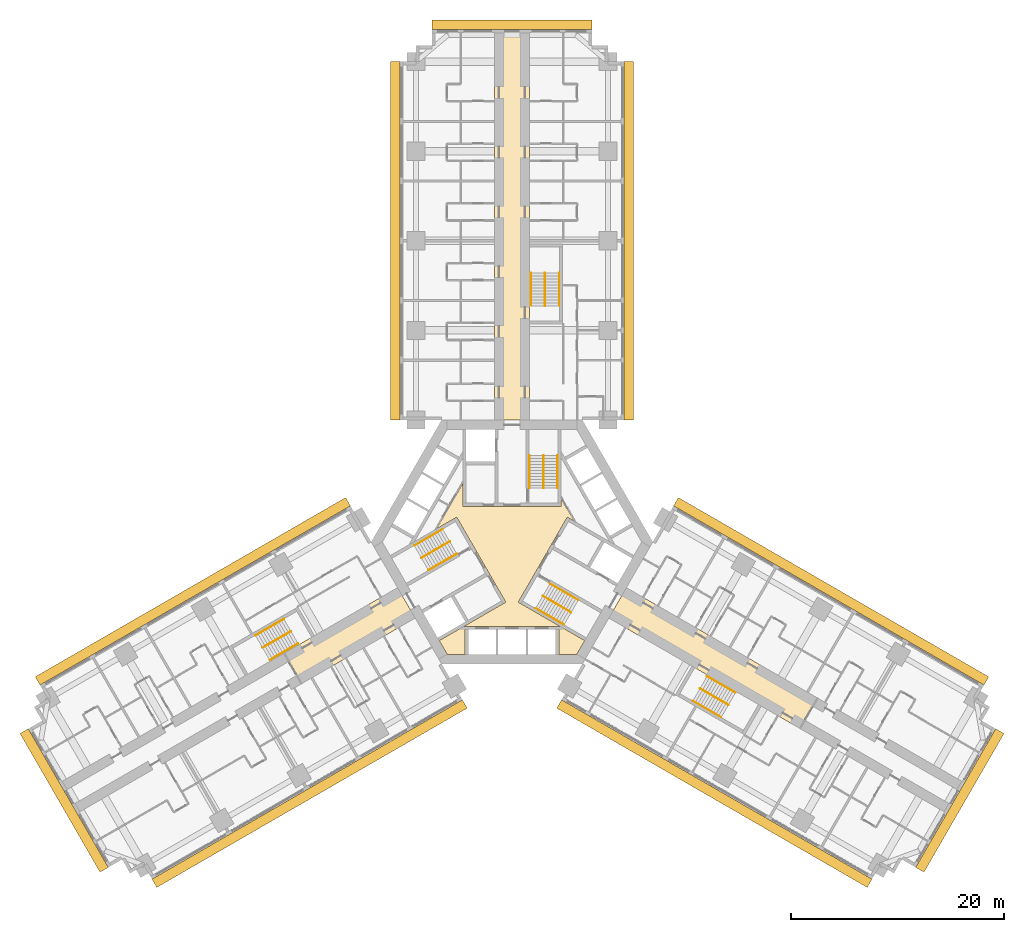
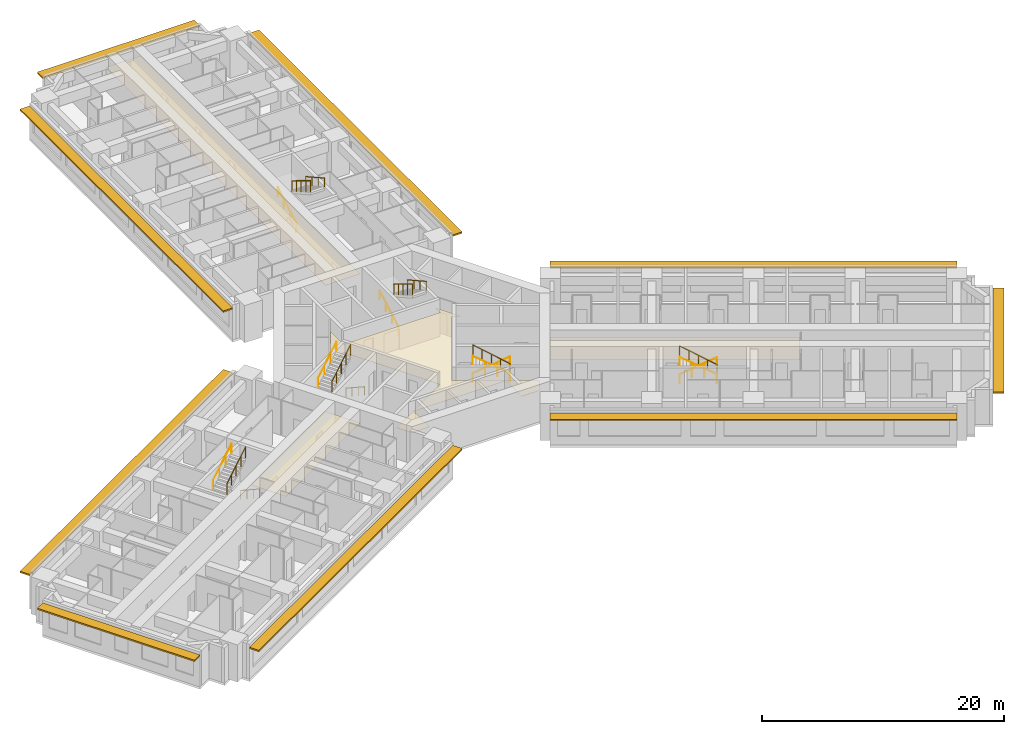
# One storey, part 17 of 17: 18 railings, 4 coverings, 3 shading devices.
"""IFC4 building model written with IfcOpenShell, lengths in metres."""

from ifc_helpers import new_model, si_unit, direction, frame, origin, origin_2d, place, context, subcontext, project, spatial, polyline, rectangle, circle, outline, extrude, material, layer, layer_set, type_object, element, save


model = new_model("IFC4")

# Units and contexts
model_context = context("Model", 3, precision=1e-05, world=origin(), true_north=direction((0.0, 1.0)))
body_context = subcontext(model_context, "Body", "Model", "MODEL_VIEW")
ifc_project = project(units=[si_unit("LENGTHUNIT", "METRE"), si_unit("AREAUNIT", "SQUARE_METRE"), si_unit("VOLUMEUNIT", "CUBIC_METRE"), si_unit("PLANEANGLEUNIT", "RADIAN"), si_unit("MASSUNIT", "GRAM", prefix="KILO")], contexts=[model_context])

# Site, building, storey
site_placement = place(None, origin())
site = spatial("IfcSite", under=ifc_project, at=site_placement, CompositionType="ELEMENT")
building_placement = place(site_placement, origin())
building = spatial("IfcBuilding", under=site, at=building_placement, Name="Impinga Residences", CompositionType="ELEMENT")
storey_placement = place(building_placement, frame((0.0, 0.0, 29.75)))
storey = spatial("IfcBuildingStorey", under=building, at=storey_placement, Name="L06", CompositionType="ELEMENT", Elevation=29.75)

# Coverings
ifc_material_1 = material(Name="Plasterboard 15 mm on steel hangers", Category="steel")
ifc_layer_1 = layer(ifc_material_1, 0.014892578125)
ifc_layer_set_1 = layer_set([ifc_layer_1], Name="Plasterboard 15 mm on steel hangers")
covering_type_1 = type_object("IfcCoveringType", Name="CL1 corridor ceiling, 15 mm plasterboard on hangers", PredefinedType="CEILING", material=ifc_layer_set_1)
covering_1_placement = place(storey_placement, frame((0.0, 0.0, 2.39990234375)))
element("IfcCovering", 1, at=covering_1_placement, inside=storey, type_object=covering_type_1, Name="Corridor ceiling CL1 L06-N00", PredefinedType="CEILING", context=body_context, shape_type="SweptSolid", body=[
    extrude(outline(polyline([(-1.64990234375, 11.431640625), (1.64990234375, 11.431640625), (1.64990234375, 47.7314453125), (-1.64990234375, 47.7314453125), (-1.64990234375, 11.431640625)])), origin(), (0.0, 0.0, 1.0), 0.01513671875),
])
covering_2_placement = place(storey_placement, frame((0.0, 0.0, 2.39990234375)))
element("IfcCovering", 2, at=covering_2_placement, inside=storey, type_object=covering_type_1, Name="Corridor ceiling CL1 L06-W00", PredefinedType="CEILING", context=body_context, shape_type="SweptSolid", body=[
    extrude(outline(polyline([(-10.72509765625, -4.286865234375), (-9.074951171875, -7.144775390625), (-19.684326171875, -13.27001953125), (-21.334228515625, -10.412109375), (-10.72509765625, -4.286865234375)])), origin(), (0.0, 0.0, 1.0), 0.01513671875),
])
covering_3_placement = place(storey_placement, frame((0.0, 0.0, 2.39990234375)))
element("IfcCovering", 3, at=covering_3_placement, inside=storey, type_object=covering_type_1, Name="Corridor ceiling CL1 L06-E00", PredefinedType="CEILING", context=body_context, shape_type="SweptSolid", body=[
    extrude(outline(polyline([(9.074951171875, -7.144775390625), (10.72509765625, -4.286865234375), (28.60888671875, -14.612060546875), (26.958740234375, -17.469970703125), (9.074951171875, -7.144775390625)])), origin(), (0.0, 0.0, 1.0), 0.01513671875),
])
ifc_material_2 = material(Name="Mineral fibre tiles 20 mm on exposed grid", Category="mineral fibre")
ifc_layer_2 = layer(ifc_material_2, 0.02001953125)
ifc_layer_set_2 = layer_set([ifc_layer_2], Name="CL2 lift lobby ceiling, 20 mm mineral fibre tiles")
covering_type_2 = type_object("IfcCoveringType", Name="CL2 lift lobby ceiling, 20 mm mineral fibre tiles", PredefinedType="CEILING", material=ifc_layer_set_2)
covering_4_placement = place(storey_placement, frame((0.0, 0.0, 2.39990234375)))
element("IfcCovering", 4, at=covering_4_placement, inside=storey, type_object=covering_type_2, Name="Lift lobby ceiling CL2 L06-C01", PredefinedType="CEILING", context=body_context, shape_type="SweptSolid", body=[
    extrude(outline(polyline([(6.080322265625, -10.531494140625), (4.39990234375, -10.531494140625), (4.39990234375, -7.931640625), (-4.39990234375, -7.931640625), (-4.39990234375, -10.531494140625), (-6.080322265625, -10.531494140625), (-6.820556640625, -9.24951171875), (-0.583984375, -5.648681640625), (-5.183837890625, 2.318603515625), (-7.059326171875, 1.23583984375), (-4.60009765625, 5.49560546875), (-4.60009765625, 3.330078125), (4.60009765625, 3.330078125), (4.60009765625, 4.095703125), (5.846923828125, 1.935791015625), (5.183837890625, 2.318603515625), (0.583984375, -5.648681640625), (6.820556640625, -9.24951171875), (6.080322265625, -10.531494140625)])), origin(), (0.0, 0.0, 1.0), 0.02001953125),
])

# Railings
ifc_material_3 = material(Name="Steel guard, powder coated", Category="steel")
railing_type_1 = type_object("IfcRailingType", Name="GR1 stair guard 1100", PredefinedType="GUARDRAIL", material=ifc_material_3)
railing_1_placement = place(storey_placement, frame((2.949951171875, 8.110107421875, 1.875)))
element("IfcRailing", 5, at=railing_1_placement, inside=storey, type_object=railing_type_1, Name="Stair guard GR1 ST1 L06", PredefinedType="GUARDRAIL", context=body_context, shape_type="SweptSolid", body=[
    extrude(circle(Radius=0.02392578125, at=origin_2d()), frame((0.0, 0.0, 1.076171875), z_axis=(0.0, -0.854177636135, 0.519981313056), x_axis=(1.0, 0.0, 0.0)), (0.0, 0.0, 1.0), 3.60595703125),
    extrude(circle(Radius=0.02099609375, at=origin_2d()), origin(), (0.0, 0.0, 1.0), 1.052001953125),
    extrude(circle(Radius=0.02099609375, at=origin_2d()), frame((0.0, -0.77001953125, 0.46875)), (0.0, 0.0, 1.0), 1.052001953125),
    extrude(circle(Radius=0.02099609375, at=origin_2d()), frame((0.0, -1.5400390625, 0.9375)), (0.0, 0.0, 1.0), 1.052001953125),
    extrude(circle(Radius=0.02099609375, at=origin_2d()), frame((0.0, -2.31005859375, 1.40625)), (0.0, 0.0, 1.0), 1.052001953125),
    extrude(circle(Radius=0.02099609375, at=origin_2d()), frame((0.0, -3.080078125, 1.875)), (0.0, 0.0, 1.0), 1.052001953125),
])
railing_2_placement = place(storey_placement, frame((-8.49853515625, -1.500244140625, 1.875)))
element("IfcRailing", 6, at=railing_2_placement, inside=storey, type_object=railing_type_1, Name="Stair guard GR1 ST2 L06", PredefinedType="GUARDRAIL", context=body_context, shape_type="SweptSolid", body=[
    extrude(circle(Radius=0.02392578125, at=origin_2d()), frame((0.0, 0.0, 1.076171875), z_axis=(0.739746383972, 0.427084037168, 0.519975492303), x_axis=(-0.499992328818, 0.866029832698, 0.0)), (0.0, 0.0, 1.0), 3.60595703125),
    extrude(circle(Radius=0.02099609375, at=origin_2d()), origin(), (0.0, 0.0, 1.0), 1.052001953125),
    extrude(circle(Radius=0.02099609375, at=origin_2d()), frame((0.6669921875, 0.385009765625, 0.46875)), (0.0, 0.0, 1.0), 1.052001953125),
    extrude(circle(Radius=0.02099609375, at=origin_2d()), frame((1.333740234375, 0.77001953125, 0.9375)), (0.0, 0.0, 1.0), 1.052001953125),
    extrude(circle(Radius=0.02099609375, at=origin_2d()), frame((2.00048828125, 1.155029296875, 1.40625)), (0.0, 0.0, 1.0), 1.052001953125),
    extrude(circle(Radius=0.02099609375, at=origin_2d()), frame((2.66748046875, 1.5400390625, 1.875)), (0.0, 0.0, 1.0), 1.052001953125),
])
railing_3_placement = place(storey_placement, frame((5.548583984375, -6.60986328125, 1.875)))
element("IfcRailing", 7, at=railing_3_placement, inside=storey, type_object=railing_type_1, Name="Stair guard GR1 ST3 L06", PredefinedType="GUARDRAIL", context=body_context, shape_type="SweptSolid", body=[
    extrude(circle(Radius=0.02392578125, at=origin_2d()), frame((0.0, 0.0, 1.076171875), z_axis=(-0.739746383972, 0.427084037168, 0.519975492303), x_axis=(-0.499992328818, -0.866029832698, 0.0)), (0.0, 0.0, 1.0), 3.60595703125),
    extrude(circle(Radius=0.02099609375, at=origin_2d()), origin(), (0.0, 0.0, 1.0), 1.052001953125),
    extrude(circle(Radius=0.02099609375, at=origin_2d()), frame((-0.6669921875, 0.385009765625, 0.46875)), (0.0, 0.0, 1.0), 1.052001953125),
    extrude(circle(Radius=0.02099609375, at=origin_2d()), frame((-1.333740234375, 0.77001953125, 0.9375)), (0.0, 0.0, 1.0), 1.052001953125),
    extrude(circle(Radius=0.02099609375, at=origin_2d()), frame((-2.00048828125, 1.155029296875, 1.40625)), (0.0, 0.0, 1.0), 1.052001953125),
    extrude(circle(Radius=0.02099609375, at=origin_2d()), frame((-2.66748046875, 1.5400390625, 1.875)), (0.0, 0.0, 1.0), 1.052001953125),
])
railing_4_placement = place(storey_placement, frame((3.10009765625, 25.21142578125, 1.875)))
element("IfcRailing", 8, at=railing_4_placement, inside=storey, type_object=railing_type_1, Name="Stair guard GR1 WS1 L06", PredefinedType="GUARDRAIL", context=body_context, shape_type="SweptSolid", body=[
    extrude(circle(Radius=0.02392578125, at=origin_2d()), frame((0.0, 0.0, 1.076171875), z_axis=(0.0, -0.854159328187, 0.520011386482), x_axis=(1.0, 0.0, 0.0)), (0.0, 0.0, 1.0), 3.605712890625),
    extrude(circle(Radius=0.02099609375, at=origin_2d()), origin(), (0.0, 0.0, 1.0), 1.052001953125),
    extrude(circle(Radius=0.02099609375, at=origin_2d()), frame((0.0, -0.77001953125, 0.46875)), (0.0, 0.0, 1.0), 1.052001953125),
    extrude(circle(Radius=0.02099609375, at=origin_2d()), frame((0.0, -1.5400390625, 0.9375)), (0.0, 0.0, 1.0), 1.052001953125),
    extrude(circle(Radius=0.02099609375, at=origin_2d()), frame((0.0, -2.309814453125, 1.40625)), (0.0, 0.0, 1.0), 1.052001953125),
    extrude(circle(Radius=0.02099609375, at=origin_2d()), frame((0.0, -3.079833984375, 1.875)), (0.0, 0.0, 1.0), 1.052001953125),
])
railing_5_placement = place(storey_placement, frame((-23.3837890625, -9.921142578125, 1.875)))
element("IfcRailing", 9, at=railing_5_placement, inside=storey, type_object=railing_type_1, Name="Stair guard GR1 WS2 L06", PredefinedType="GUARDRAIL", context=body_context, shape_type="SweptSolid", body=[
    extrude(circle(Radius=0.02392578125, at=origin_2d()), frame((0.0, 0.0, 1.076171875), z_axis=(0.739715726454, 0.427105428144, 0.52000153585), x_axis=(-0.500026652407, 0.866010015463, 0.0)), (0.0, 0.0, 1.0), 3.605712890625),
    extrude(circle(Radius=0.02099609375, at=origin_2d()), origin(), (0.0, 0.0, 1.0), 1.052001953125),
    extrude(circle(Radius=0.02099609375, at=origin_2d()), frame((0.666748046875, 0.385009765625, 0.46875)), (0.0, 0.0, 1.0), 1.052001953125),
    extrude(circle(Radius=0.02099609375, at=origin_2d()), frame((1.33349609375, 0.77001953125, 0.9375)), (0.0, 0.0, 1.0), 1.052001953125),
    extrude(circle(Radius=0.02099609375, at=origin_2d()), frame((2.00048828125, 1.155029296875, 1.40625)), (0.0, 0.0, 1.0), 1.052001953125),
    extrude(circle(Radius=0.02099609375, at=origin_2d()), frame((2.667236328125, 1.5400390625, 1.875)), (0.0, 0.0, 1.0), 1.052001953125),
])
railing_6_placement = place(storey_placement, frame((20.283935546875, -15.29052734375, 1.875)))
element("IfcRailing", 10, at=railing_6_placement, inside=storey, type_object=railing_type_1, Name="Stair guard GR1 WS3 L06", PredefinedType="GUARDRAIL", context=body_context, shape_type="SweptSolid", body=[
    extrude(circle(Radius=0.02392578125, at=origin_2d()), frame((0.0, 0.0, 1.076171875), z_axis=(-0.739746383972, 0.427084037168, 0.519975492303), x_axis=(-0.499992328818, -0.866029832698, 0.0)), (0.0, 0.0, 1.0), 3.60595703125),
    extrude(circle(Radius=0.02099609375, at=origin_2d()), origin(), (0.0, 0.0, 1.0), 1.052001953125),
    extrude(circle(Radius=0.02099609375, at=origin_2d()), frame((-0.6669921875, 0.385009765625, 0.46875)), (0.0, 0.0, 1.0), 1.052001953125),
    extrude(circle(Radius=0.02099609375, at=origin_2d()), frame((-1.333740234375, 0.77001953125, 0.9375)), (0.0, 0.0, 1.0), 1.052001953125),
    extrude(circle(Radius=0.02099609375, at=origin_2d()), frame((-2.00048828125, 1.155029296875, 1.40625)), (0.0, 0.0, 1.0), 1.052001953125),
    extrude(circle(Radius=0.02099609375, at=origin_2d()), frame((-2.66748046875, 1.5400390625, 1.875)), (0.0, 0.0, 1.0), 1.052001953125),
])
ifc_material_4 = material(Name="Steel handrail tube 42 mm, powder coated", Category="steel")
railing_type_2 = type_object("IfcRailingType", Name="HR1 stair handrail, 42 mm steel tube, 900 above the pitch line", PredefinedType="HANDRAIL", material=ifc_material_4)
railing_7_placement = place(storey_placement, frame((1.62109375, 5.030029296875, 0.15625)))
element("IfcRailing", 11, at=railing_7_placement, inside=storey, type_object=railing_type_2, Name="Stair handrail HR1 ST1 L06", PredefinedType="HANDRAIL", context=body_context, shape_type="SweptSolid", body=[
    extrude(circle(Radius=0.02099609375, at=origin_2d()), frame((0.0, 0.0, 0.87890625), z_axis=(0.0, 0.873241540666, 0.487287606713), x_axis=(-1.0, 0.0, 0.0)), (0.0, 0.0, 1.0), 3.527099609375),
    extrude(circle(Radius=0.012451171875, at=origin_2d()), origin(), (0.0, 0.0, 1.0), 0.85791015625),
    extrude(circle(Radius=0.012451171875, at=origin_2d()), frame((0.0, 1.026611328125, 0.572998046875)), (0.0, 0.0, 1.0), 0.85791015625),
    extrude(circle(Radius=0.012451171875, at=origin_2d()), frame((0.0, 2.053466796875, 1.145751953125)), (0.0, 0.0, 1.0), 0.85791015625),
    extrude(circle(Radius=0.012451171875, at=origin_2d()), frame((0.0, 3.080078125, 1.71875)), (0.0, 0.0, 1.0), 0.85791015625),
])
railing_8_placement = place(storey_placement, frame((4.279052734375, 8.110107421875, 2.03125)))
element("IfcRailing", 12, at=railing_8_placement, inside=storey, type_object=railing_type_2, Name="Stair handrail HR1 ST1 L06", PredefinedType="HANDRAIL", context=body_context, shape_type="SweptSolid", body=[
    extrude(circle(Radius=0.02099609375, at=origin_2d()), frame((0.0, 0.0, 0.87890625), z_axis=(0.0, -0.873241540666, 0.487287606713), x_axis=(1.0, 0.0, 0.0)), (0.0, 0.0, 1.0), 3.527099609375),
    extrude(circle(Radius=0.012451171875, at=origin_2d()), origin(), (0.0, 0.0, 1.0), 0.85791015625),
    extrude(circle(Radius=0.012451171875, at=origin_2d()), frame((0.0, -1.026611328125, 0.572998046875)), (0.0, 0.0, 1.0), 0.85791015625),
    extrude(circle(Radius=0.012451171875, at=origin_2d()), frame((0.0, -2.053466796875, 1.145751953125)), (0.0, 0.0, 1.0), 0.85791015625),
    extrude(circle(Radius=0.012451171875, at=origin_2d()), frame((0.0, -3.080078125, 1.71875)), (0.0, 0.0, 1.0), 0.85791015625),
])
railing_9_placement = place(storey_placement, frame((-5.16650390625, -1.111083984375, 0.15625)))
element("IfcRailing", 13, at=railing_9_placement, inside=storey, type_object=railing_type_2, Name="Stair handrail HR1 ST2 L06", PredefinedType="HANDRAIL", context=body_context, shape_type="SweptSolid", body=[
    extrude(circle(Radius=0.02099609375, at=origin_2d()), frame((0.0, 0.0, 0.87890625), z_axis=(-0.756255980417, -0.436615662133, 0.487281905742), x_axis=(0.499992328818, -0.866029832698, 0.0)), (0.0, 0.0, 1.0), 3.527099609375),
    extrude(circle(Radius=0.012451171875, at=origin_2d()), origin(), (0.0, 0.0, 1.0), 0.85791015625),
    extrude(circle(Radius=0.012451171875, at=origin_2d()), frame((-0.88916015625, -0.513427734375, 0.572998046875)), (0.0, 0.0, 1.0), 0.85791015625),
    extrude(circle(Radius=0.012451171875, at=origin_2d()), frame((-1.7783203125, -1.026611328125, 1.145751953125)), (0.0, 0.0, 1.0), 0.85791015625),
    extrude(circle(Radius=0.012451171875, at=origin_2d()), frame((-2.66748046875, -1.5400390625, 1.71875)), (0.0, 0.0, 1.0), 0.85791015625),
])
railing_10_placement = place(storey_placement, frame((-9.1630859375, -0.349365234375, 2.03125)))
element("IfcRailing", 14, at=railing_10_placement, inside=storey, type_object=railing_type_2, Name="Stair handrail HR1 ST2 L06", PredefinedType="HANDRAIL", context=body_context, shape_type="SweptSolid", body=[
    extrude(circle(Radius=0.02099609375, at=origin_2d()), frame((0.0, 0.0, 0.87890625), z_axis=(0.756255980417, 0.436615662133, 0.487281905742), x_axis=(-0.499992328818, 0.866029832698, 0.0)), (0.0, 0.0, 1.0), 3.527099609375),
    extrude(circle(Radius=0.012451171875, at=origin_2d()), origin(), (0.0, 0.0, 1.0), 0.85791015625),
    extrude(circle(Radius=0.012451171875, at=origin_2d()), frame((0.88916015625, 0.513427734375, 0.572998046875)), (0.0, 0.0, 1.0), 0.85791015625),
    extrude(circle(Radius=0.012451171875, at=origin_2d()), frame((1.7783203125, 1.026611328125, 1.145751953125)), (0.0, 0.0, 1.0), 0.85791015625),
    extrude(circle(Radius=0.012451171875, at=origin_2d()), frame((2.66748046875, 1.5400390625, 1.71875)), (0.0, 0.0, 1.0), 0.85791015625),
])
railing_11_placement = place(storey_placement, frame((3.545654296875, -3.9189453125, 0.15625)))
element("IfcRailing", 15, at=railing_11_placement, inside=storey, type_object=railing_type_2, Name="Stair handrail HR1 ST3 L06", PredefinedType="HANDRAIL", context=body_context, shape_type="SweptSolid", body=[
    extrude(circle(Radius=0.02099609375, at=origin_2d()), frame((0.0, 0.0, 0.87890625), z_axis=(0.756249203677, -0.436582492228, 0.487322141317), x_axis=(0.499967199496, 0.866044340336, 0.0)), (0.0, 0.0, 1.0), 3.52685546875),
    extrude(circle(Radius=0.012451171875, at=origin_2d()), origin(), (0.0, 0.0, 1.0), 0.85791015625),
    extrude(circle(Radius=0.012451171875, at=origin_2d()), frame((0.88916015625, -0.51318359375, 0.572998046875)), (0.0, 0.0, 1.0), 0.85791015625),
    extrude(circle(Radius=0.012451171875, at=origin_2d()), frame((1.778076171875, -1.026611328125, 1.145751953125)), (0.0, 0.0, 1.0), 0.85791015625),
    extrude(circle(Radius=0.012451171875, at=origin_2d()), frame((2.667236328125, -1.539794921875, 1.71875)), (0.0, 0.0, 1.0), 0.85791015625),
])
railing_12_placement = place(storey_placement, frame((4.884033203125, -7.7607421875, 2.03125)))
element("IfcRailing", 16, at=railing_12_placement, inside=storey, type_object=railing_type_2, Name="Stair handrail HR1 ST3 L06", PredefinedType="HANDRAIL", context=body_context, shape_type="SweptSolid", body=[
    extrude(circle(Radius=0.02099609375, at=origin_2d()), frame((0.0, 0.0, 0.87890625), z_axis=(-0.756255980417, 0.436615662133, 0.487281905742), x_axis=(-0.499992328818, -0.866029832698, 0.0)), (0.0, 0.0, 1.0), 3.527099609375),
    extrude(circle(Radius=0.012451171875, at=origin_2d()), origin(), (0.0, 0.0, 1.0), 0.85791015625),
    extrude(circle(Radius=0.012451171875, at=origin_2d()), frame((-0.88916015625, 0.513427734375, 0.572998046875)), (0.0, 0.0, 1.0), 0.85791015625),
    extrude(circle(Radius=0.012451171875, at=origin_2d()), frame((-1.7783203125, 1.026611328125, 1.145751953125)), (0.0, 0.0, 1.0), 0.85791015625),
    extrude(circle(Radius=0.012451171875, at=origin_2d()), frame((-2.66748046875, 1.5400390625, 1.71875)), (0.0, 0.0, 1.0), 0.85791015625),
])
railing_13_placement = place(storey_placement, frame((1.77099609375, 22.131591796875, 0.15625)))
element("IfcRailing", 17, at=railing_13_placement, inside=storey, type_object=railing_type_2, Name="Stair handrail HR1 WS1 L06", PredefinedType="HANDRAIL", context=body_context, shape_type="SweptSolid", body=[
    extrude(circle(Radius=0.02099609375, at=origin_2d()), frame((0.0, 0.0, 0.87890625), z_axis=(0.0, 0.873225103656, 0.487317061414), x_axis=(-1.0, 0.0, 0.0)), (0.0, 0.0, 1.0), 3.52685546875),
    extrude(circle(Radius=0.012451171875, at=origin_2d()), origin(), (0.0, 0.0, 1.0), 0.85791015625),
    extrude(circle(Radius=0.012451171875, at=origin_2d()), frame((0.0, 1.026611328125, 0.572998046875)), (0.0, 0.0, 1.0), 0.85791015625),
    extrude(circle(Radius=0.012451171875, at=origin_2d()), frame((0.0, 2.05322265625, 1.145751953125)), (0.0, 0.0, 1.0), 0.85791015625),
    extrude(circle(Radius=0.012451171875, at=origin_2d()), frame((0.0, 3.079833984375, 1.71875)), (0.0, 0.0, 1.0), 0.85791015625),
])
railing_14_placement = place(storey_placement, frame((4.428955078125, 25.21142578125, 2.03125)))
element("IfcRailing", 18, at=railing_14_placement, inside=storey, type_object=railing_type_2, Name="Stair handrail HR1 WS1 L06", PredefinedType="HANDRAIL", context=body_context, shape_type="SweptSolid", body=[
    extrude(circle(Radius=0.02099609375, at=origin_2d()), frame((0.0, 0.0, 0.87890625), z_axis=(0.0, -0.873225103656, 0.487317061414), x_axis=(1.0, 0.0, 0.0)), (0.0, 0.0, 1.0), 3.52685546875),
    extrude(circle(Radius=0.012451171875, at=origin_2d()), origin(), (0.0, 0.0, 1.0), 0.85791015625),
    extrude(circle(Radius=0.012451171875, at=origin_2d()), frame((0.0, -1.026611328125, 0.572998046875)), (0.0, 0.0, 1.0), 0.85791015625),
    extrude(circle(Radius=0.012451171875, at=origin_2d()), frame((0.0, -2.05322265625, 1.145751953125)), (0.0, 0.0, 1.0), 0.85791015625),
    extrude(circle(Radius=0.012451171875, at=origin_2d()), frame((0.0, -3.079833984375, 1.71875)), (0.0, 0.0, 1.0), 0.85791015625),
])
railing_15_placement = place(storey_placement, frame((-20.052001953125, -9.531982421875, 0.15625)))
element("IfcRailing", 19, at=railing_15_placement, inside=storey, type_object=railing_type_2, Name="Stair handrail HR1 WS2 L06", PredefinedType="HANDRAIL", context=body_context, shape_type="SweptSolid", body=[
    extrude(circle(Radius=0.02099609375, at=origin_2d()), frame((0.0, 0.0, 0.87890625), z_axis=(-0.756226348243, -0.436638517594, 0.487307413422), x_axis=(0.500026652407, -0.866010015463, 0.0)), (0.0, 0.0, 1.0), 3.527099609375),
    extrude(circle(Radius=0.012451171875, at=origin_2d()), origin(), (0.0, 0.0, 1.0), 0.85791015625),
    extrude(circle(Radius=0.012451171875, at=origin_2d()), frame((-0.88916015625, -0.513427734375, 0.572998046875)), (0.0, 0.0, 1.0), 0.85791015625),
    extrude(circle(Radius=0.012451171875, at=origin_2d()), frame((-1.778076171875, -1.026611328125, 1.145751953125)), (0.0, 0.0, 1.0), 0.85791015625),
    extrude(circle(Radius=0.012451171875, at=origin_2d()), frame((-2.667236328125, -1.5400390625, 1.71875)), (0.0, 0.0, 1.0), 0.85791015625),
])
railing_16_placement = place(storey_placement, frame((-24.04833984375, -8.77001953125, 2.03125)))
element("IfcRailing", 20, at=railing_16_placement, inside=storey, type_object=railing_type_2, Name="Stair handrail HR1 WS2 L06", PredefinedType="HANDRAIL", context=body_context, shape_type="SweptSolid", body=[
    extrude(circle(Radius=0.02099609375, at=origin_2d()), frame((0.0, 0.0, 0.87890625), z_axis=(0.756278834354, 0.436559638319, 0.487296631324), x_axis=(-0.499932877268, 0.866064153644, 0.0)), (0.0, 0.0, 1.0), 3.527099609375),
    extrude(circle(Radius=0.012451171875, at=origin_2d()), origin(), (0.0, 0.0, 1.0), 0.85791015625),
    extrude(circle(Radius=0.012451171875, at=origin_2d()), frame((0.88916015625, 0.51318359375, 0.572998046875)), (0.0, 0.0, 1.0), 0.85791015625),
    extrude(circle(Radius=0.012451171875, at=origin_2d()), frame((1.7783203125, 1.026611328125, 1.145751953125)), (0.0, 0.0, 1.0), 0.85791015625),
    extrude(circle(Radius=0.012451171875, at=origin_2d()), frame((2.66748046875, 1.539794921875, 1.71875)), (0.0, 0.0, 1.0), 0.85791015625),
])
railing_17_placement = place(storey_placement, frame((18.281005859375, -12.599609375, 0.15625)))
element("IfcRailing", 21, at=railing_17_placement, inside=storey, type_object=railing_type_2, Name="Stair handrail HR1 WS3 L06", PredefinedType="HANDRAIL", context=body_context, shape_type="SweptSolid", body=[
    extrude(circle(Radius=0.02099609375, at=origin_2d()), frame((0.0, 0.0, 0.87890625), z_axis=(0.756249203677, -0.436582492228, 0.487322141317), x_axis=(0.499967199496, 0.866044340336, 0.0)), (0.0, 0.0, 1.0), 3.52685546875),
    extrude(circle(Radius=0.012451171875, at=origin_2d()), origin(), (0.0, 0.0, 1.0), 0.85791015625),
    extrude(circle(Radius=0.012451171875, at=origin_2d()), frame((0.88916015625, -0.51318359375, 0.572998046875)), (0.0, 0.0, 1.0), 0.85791015625),
    extrude(circle(Radius=0.012451171875, at=origin_2d()), frame((1.778076171875, -1.026611328125, 1.145751953125)), (0.0, 0.0, 1.0), 0.85791015625),
    extrude(circle(Radius=0.012451171875, at=origin_2d()), frame((2.667236328125, -1.539794921875, 1.71875)), (0.0, 0.0, 1.0), 0.85791015625),
])
railing_18_placement = place(storey_placement, frame((19.619384765625, -16.44140625, 2.03125)))
element("IfcRailing", 22, at=railing_18_placement, inside=storey, type_object=railing_type_2, Name="Stair handrail HR1 WS3 L06", PredefinedType="HANDRAIL", context=body_context, shape_type="SweptSolid", body=[
    extrude(circle(Radius=0.02099609375, at=origin_2d()), frame((0.0, 0.0, 0.87890625), z_axis=(-0.756255980417, 0.436615662133, 0.487281905742), x_axis=(-0.499992328818, -0.866029832698, 0.0)), (0.0, 0.0, 1.0), 3.527099609375),
    extrude(circle(Radius=0.012451171875, at=origin_2d()), origin(), (0.0, 0.0, 1.0), 0.85791015625),
    extrude(circle(Radius=0.012451171875, at=origin_2d()), frame((-0.88916015625, 0.513427734375, 0.572998046875)), (0.0, 0.0, 1.0), 0.85791015625),
    extrude(circle(Radius=0.012451171875, at=origin_2d()), frame((-1.7783203125, 1.026611328125, 1.145751953125)), (0.0, 0.0, 1.0), 0.85791015625),
    extrude(circle(Radius=0.012451171875, at=origin_2d()), frame((-2.66748046875, 1.5400390625, 1.71875)), (0.0, 0.0, 1.0), 0.85791015625),
])

# Shading devices
ifc_material_5 = material(Name="Terracotta sunshade blades on aluminium brackets", Category="masonry")
ifc_layer_3 = layer(ifc_material_5, 0.14990234375)
ifc_layer_set_3 = layer_set([ifc_layer_3], Name="SS1 SUNSHADE terracotta sunshade band 900")
shading_device_type = type_object("IfcShadingDeviceType", Name="SS1 SUNSHADE terracotta sunshade band 900", PredefinedType="USERDEFINED", material=ifc_layer_set_3)
shading_device_1_placement = place(storey_placement, frame((-10.949951171875, 28.2314453125, 3.10009765625), z_axis=(0.0, 0.0, 1.0), x_axis=(0.0, 1.0, 0.0)))
element("IfcShadingDevice", 23, at=shading_device_1_placement, inside=storey, type_object=shading_device_type, Name="SUNSHADE band L06 NORTH WING", ObjectType="SUNSHADE", PredefinedType="USERDEFINED", context=body_context, shape_type="SweptSolid", body=[
    extrude(rectangle(XDim=33.60009765625, YDim=0.89990234375, at=origin_2d()), origin(), (0.0, 0.0, 1.0), 0.14990234375),
    extrude(rectangle(XDim=15.0, YDim=0.89990234375, at=origin_2d()), frame((20.25, -10.949951171875, 0.0), z_axis=(0.0, 0.0, 1.0), x_axis=(0.0, -1.0, 0.0)), (0.0, 0.0, 1.0), 0.14990234375),
    extrude(rectangle(XDim=33.60009765625, YDim=0.89990234375, at=origin_2d()), frame((0.0, -21.89990234375, 0.0), z_axis=(0.0, 0.0, 1.0), x_axis=(-1.0, 0.0, 0.0)), (0.0, 0.0, 1.0), 0.14990234375),
])
shading_device_2_placement = place(storey_placement, frame((-41.986328125, -24.24072265625, 3.10009765625), z_axis=(0.0, 0.0, 1.0), x_axis=(-0.5, 0.866025403784, 0.0)))
element("IfcShadingDevice", 24, at=shading_device_2_placement, inside=storey, type_object=shading_device_type, Name="SUNSHADE band L06 WEST WING", ObjectType="SUNSHADE", PredefinedType="USERDEFINED", context=body_context, shape_type="SweptSolid", body=[
    extrude(rectangle(XDim=15.0, YDim=0.89990234375, at=origin_2d()), origin(), (0.0, 0.0, 1.0), 0.14990234375),
    extrude(rectangle(XDim=33.60009765625, YDim=0.89990234375, at=origin_2d()), frame((10.949951171875, -20.25, 0.0), z_axis=(0.0, 0.0, 1.0), x_axis=(0.0, -1.0, 0.0)), (0.0, 0.0, 1.0), 0.14990234375),
    extrude(rectangle(XDim=33.60009765625, YDim=0.89990234375, at=origin_2d()), frame((-10.949951171875, -20.250244140625, 0.0), z_axis=(0.0, 0.0, 1.0), x_axis=(0.0, 1.0, 0.0)), (0.0, 0.0, 1.0), 0.14990234375),
])
shading_device_3_placement = place(storey_placement, frame((29.92431640625, -4.6328125, 3.10009765625), z_axis=(0.0, 0.0, 1.0), x_axis=(0.866025403784, -0.5, 0.0)))
element("IfcShadingDevice", 25, at=shading_device_3_placement, inside=storey, type_object=shading_device_type, Name="SUNSHADE band L06 EAST WING", ObjectType="SUNSHADE", PredefinedType="USERDEFINED", context=body_context, shape_type="SweptSolid", body=[
    extrude(rectangle(XDim=33.60009765625, YDim=0.89990234375, at=origin_2d()), origin(), (0.0, 0.0, 1.0), 0.14990234375),
    extrude(rectangle(XDim=15.0, YDim=0.89990234375, at=origin_2d()), frame((20.25, -10.949951171875, 0.0), z_axis=(0.0, 0.0, 1.0), x_axis=(0.0, -1.0, 0.0)), (0.0, 0.0, 1.0), 0.14990234375),
    extrude(rectangle(XDim=33.60009765625, YDim=0.89990234375, at=origin_2d()), frame((-0.000244140625, -21.89990234375, 0.0), z_axis=(0.0, 0.0, 1.0), x_axis=(-1.0, 0.0, 0.0)), (0.0, 0.0, 1.0), 0.14990234375),
])

save(model, "model.ifc")
